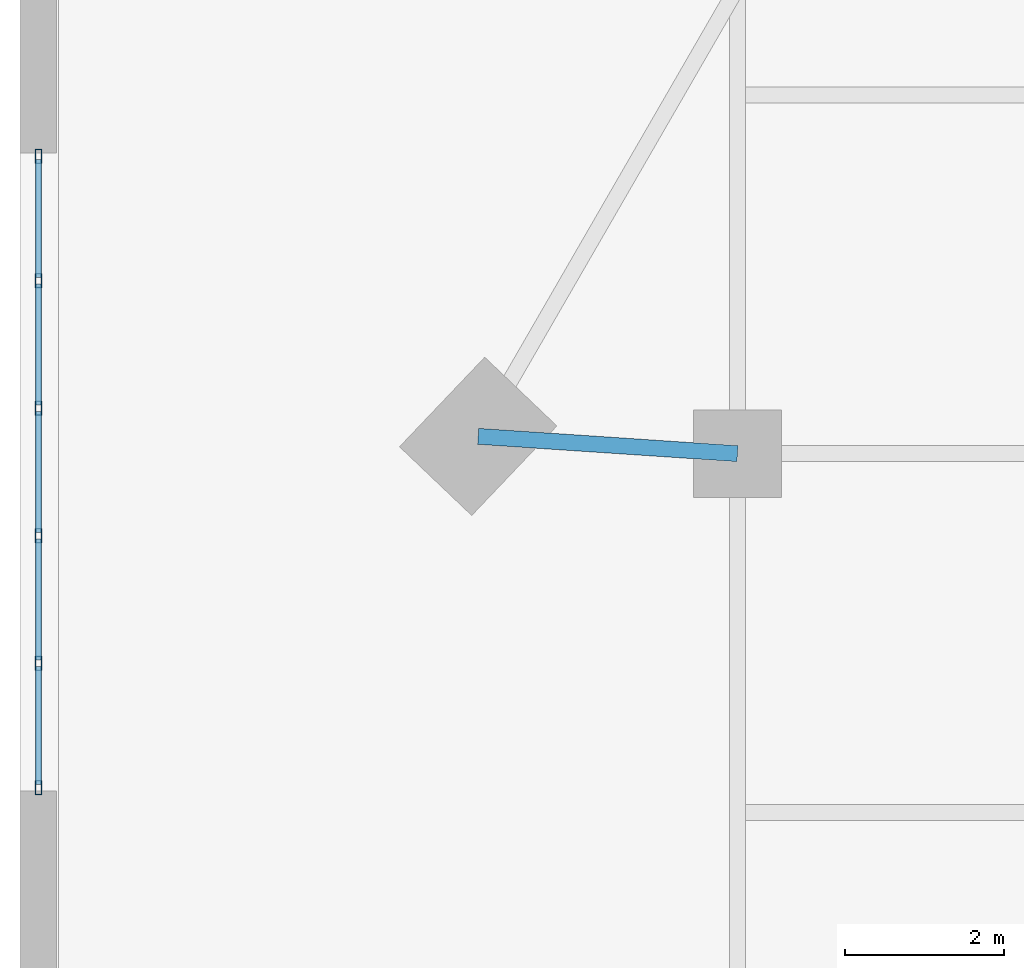
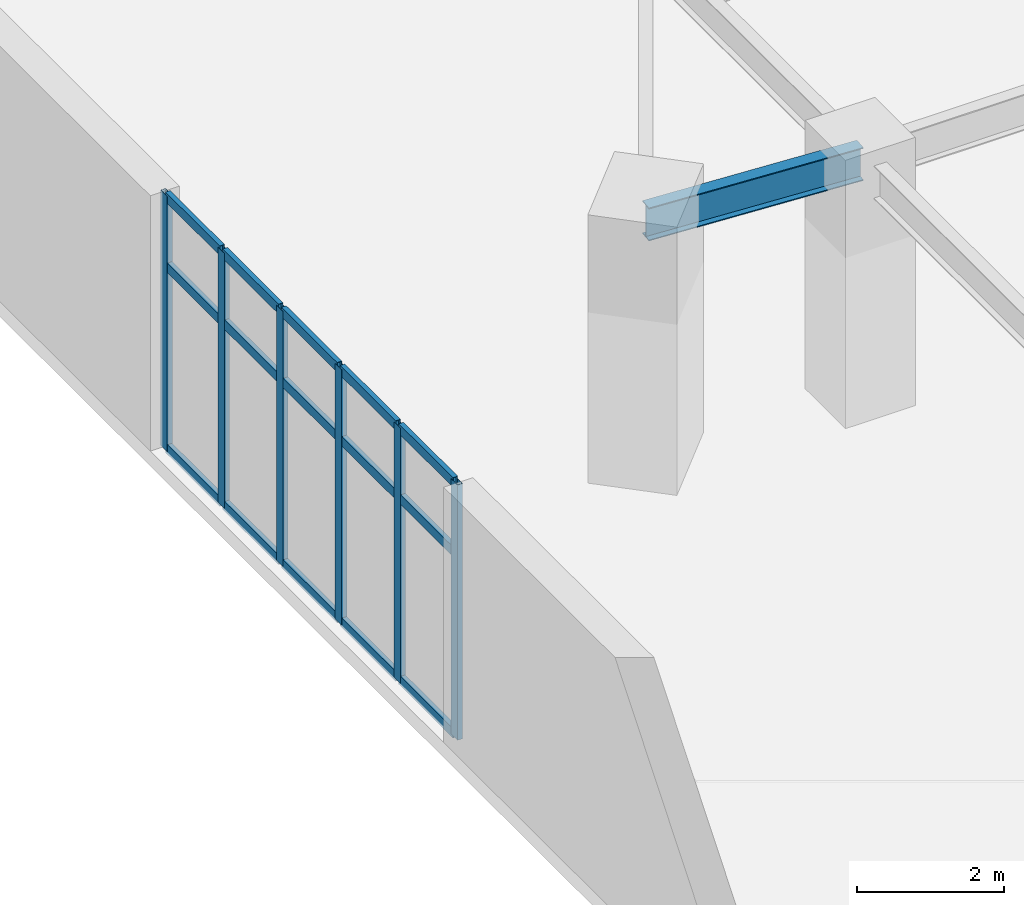
# One storey, part 14 of 29: 21 members, 1 beam, 1 element without a shape of its own.
"""IFC4 building model written with IfcOpenShell, lengths in metres."""

from ifc_helpers import new_model, si_unit, direction, frame, origin, origin_2d, place, context, subcontext, project, spatial, hollow_rectangle, i_section, extrude, source, transform, mapped, material, layer, layer_set, material_profile, profile_set, type_object, element, aggregate, save


model = new_model("IFC4")

# Units and contexts
model_context = context("Model", 3, precision=1e-05, world=origin(), true_north=direction((0.0, 1.0)))
body_context = subcontext(model_context, "Body", "Model", "MODEL_VIEW")
ifc_project = project(units=[si_unit("LENGTHUNIT", "METRE"), si_unit("AREAUNIT", "SQUARE_METRE"), si_unit("VOLUMEUNIT", "CUBIC_METRE"), si_unit("PLANEANGLEUNIT", "RADIAN"), si_unit("MASSUNIT", "GRAM", prefix="KILO")], contexts=[model_context])

# Site, building, storey
site_placement = place(None, origin())
site = spatial("IfcSite", under=ifc_project, at=site_placement, CompositionType="ELEMENT")
building_placement = place(site_placement, origin())
building = spatial("IfcBuilding", under=site, at=building_placement, Name="Liaohun Quay Tower", CompositionType="ELEMENT")
storey_placement = place(building_placement, frame((0.0, 0.0, 5.39990234375)))
storey = spatial("IfcBuildingStorey", under=building, at=storey_placement, Name="L02", CompositionType="ELEMENT", Elevation=5.39990234375)

# Beam
ifc_material_1 = material(Name="Steel Q355D", Category="steel")
ifc_material_profile_1 = material_profile(ifc_material_1, i_section(OverallWidth=0.199951171875, OverallDepth=0.550048828125, WebThickness=0.010009765625, FlangeThickness=0.01611328125, at=origin_2d()), Name="HN550x200x10x16")
ifc_profile_set_1 = profile_set([ifc_material_profile_1], Name="Steel Q355D")
beam_type = type_object("IfcBeamType", Name="BM-POD-G2", PredefinedType="BEAM", material=ifc_profile_set_1)
shared_shape_1 = source(origin(), body_context, "Body", "SweptSolid", [
    extrude(i_section(OverallWidth=0.199951171875, OverallDepth=0.550048828125, WebThickness=0.010009765625, FlangeThickness=0.01611328125, at=origin_2d()), origin(), (0.0, 0.0, 1.0), 3.25927734375),
])
beam_placement = place(storey_placement, frame((20.748046875, 69.217041015625, 3.97509765625), z_axis=(0.997780183272, -0.066593587307, 0.0), x_axis=(0.066593587307, 0.997780183272, 0.0)))
element("IfcBeam", 1, at=beam_placement, inside=storey, type_object=beam_type, Name="L02 Primary Grid Girder PC03-PG10", PredefinedType="BEAM", context=body_context, shape_type="MappedRepresentation", body=[
    mapped(shared_shape_1, transform((0.0, 0.0, 0.0), x_axis=(1.0, 0.0, 0.0), y_axis=(0.0, 1.0, 0.0), z_axis=(0.0, 0.0, 1.0), scale=1.0)),
])

# Curtain wall, members
ifc_material_2 = material(Name="Thermally broken podium arcade storefront curtain wall")
ifc_layer = layer(ifc_material_2, 0.179931640625, Name="Thermally broken podium arcade storefront curtain wall")
ifc_layer_set = layer_set([ifc_layer], Name="Thermally broken podium arcade storefront curtain wall")
curtain_wall_type = type_object("IfcCurtainWallType", Name="CW-POD-RET", PredefinedType="NOTDEFINED", material=ifc_layer_set)
curtain_wall_placement = place(storey_placement, origin())
curtain_wall = element("IfcCurtainWall", 2, at=curtain_wall_placement, inside=storey, type_object=curtain_wall_type, Name="L02 Podium Arcade Storefront CW2-W1", PredefinedType="NOTDEFINED")
ifc_material_3 = material(Name="Anodised aluminium 6063-T6", Category="aluminium")
ifc_material_profile_2 = material_profile(ifc_material_3, hollow_rectangle(XDim=0.074951171875, YDim=0.159912109375, WallThickness=0.0048828125, at=origin_2d()), Name="RHS160x75x5")
ifc_profile_set_2 = profile_set([ifc_material_profile_2], Name="Anodised aluminium 6063-T6")
member_type_1 = type_object("IfcMemberType", Name="MEM-CWT-POD", PredefinedType="USERDEFINED", material=ifc_profile_set_2)
shared_shape_2 = source(origin(), body_context, "Body", "SweptSolid", [
    extrude(hollow_rectangle(XDim=0.074951171875, YDim=0.159912109375, WallThickness=0.0048828125, at=origin_2d()), origin(), (0.0, 0.0, 1.0), 1.47998046875),
])
member_1_placement = place(storey_placement, frame((15.22998046875, 72.68994140625, 0.03759765625), z_axis=(0.0, -1.0, 0.0), x_axis=(1.0, 0.0, 0.0)))
member_1 = element("IfcMember", 3, at=member_1_placement, type_object=member_type_1, Name="CW2 transom 1.1", ObjectType="TRANSOM", PredefinedType="USERDEFINED", context=body_context, shape_type="MappedRepresentation", body=[
    mapped(shared_shape_2, transform((0.0, 0.0, 0.0), x_axis=(1.0, 0.0, 0.0), y_axis=(0.0, 1.0, 0.0), z_axis=(0.0, 0.0, 1.0), scale=1.0)),
])
member_2_placement = place(storey_placement, frame((15.22998046875, 72.68994140625, 3.06005859375), z_axis=(0.0, -1.0, 0.0), x_axis=(1.0, 0.0, 0.0)))
member_2 = element("IfcMember", 4, at=member_2_placement, type_object=member_type_1, Name="CW2 transom 1.2", ObjectType="TRANSOM", PredefinedType="USERDEFINED", context=body_context, shape_type="MappedRepresentation", body=[
    mapped(shared_shape_2, transform((0.0, 0.0, 0.0), x_axis=(1.0, 0.0, 0.0), y_axis=(0.0, 1.0, 0.0), z_axis=(0.0, 0.0, 1.0), scale=1.0)),
])
member_3_placement = place(storey_placement, frame((15.22998046875, 72.68994140625, 4.212646484375), z_axis=(0.0, -1.0, 0.0), x_axis=(1.0, 0.0, 0.0)))
member_3 = element("IfcMember", 5, at=member_3_placement, type_object=member_type_1, Name="CW2 transom 1.3", ObjectType="TRANSOM", PredefinedType="USERDEFINED", context=body_context, shape_type="MappedRepresentation", body=[
    mapped(shared_shape_2, transform((0.0, 0.0, 0.0), x_axis=(1.0, 0.0, 0.0), y_axis=(0.0, 1.0, 0.0), z_axis=(0.0, 0.0, 1.0), scale=1.0)),
])
member_4_placement = place(storey_placement, frame((15.22998046875, 66.330078125, 0.03759765625), z_axis=(0.0, -1.0, 0.0), x_axis=(1.0, 0.0, 0.0)))
member_4 = element("IfcMember", 6, at=member_4_placement, type_object=member_type_1, Name="CW2 transom 5.1", ObjectType="TRANSOM", PredefinedType="USERDEFINED", context=body_context, shape_type="MappedRepresentation", body=[
    mapped(shared_shape_2, transform((0.0, 0.0, 0.0), x_axis=(1.0, 0.0, 0.0), y_axis=(0.0, 1.0, 0.0), z_axis=(0.0, 0.0, 1.0), scale=1.0)),
])
member_5_placement = place(storey_placement, frame((15.22998046875, 66.330078125, 3.06005859375), z_axis=(0.0, -1.0, 0.0), x_axis=(1.0, 0.0, 0.0)))
member_5 = element("IfcMember", 7, at=member_5_placement, type_object=member_type_1, Name="CW2 transom 5.2", ObjectType="TRANSOM", PredefinedType="USERDEFINED", context=body_context, shape_type="MappedRepresentation", body=[
    mapped(shared_shape_2, transform((0.0, 0.0, 0.0), x_axis=(1.0, 0.0, 0.0), y_axis=(0.0, 1.0, 0.0), z_axis=(0.0, 0.0, 1.0), scale=1.0)),
])
member_6_placement = place(storey_placement, frame((15.22998046875, 66.330078125, 4.212646484375), z_axis=(0.0, -1.0, 0.0), x_axis=(1.0, 0.0, 0.0)))
member_6 = element("IfcMember", 8, at=member_6_placement, type_object=member_type_1, Name="CW2 transom 5.3", ObjectType="TRANSOM", PredefinedType="USERDEFINED", context=body_context, shape_type="MappedRepresentation", body=[
    mapped(shared_shape_2, transform((0.0, 0.0, 0.0), x_axis=(1.0, 0.0, 0.0), y_axis=(0.0, 1.0, 0.0), z_axis=(0.0, 0.0, 1.0), scale=1.0)),
])
shared_shape_3 = source(origin(), body_context, "Body", "SweptSolid", [
    extrude(hollow_rectangle(XDim=0.074951171875, YDim=0.159912109375, WallThickness=0.0048828125, at=origin_2d()), origin(), (0.0, 0.0, 1.0), 1.519775390625),
])
member_7_placement = place(storey_placement, frame((15.22998046875, 71.1298828125, 0.03759765625), z_axis=(0.0, -1.0, 0.0), x_axis=(1.0, 0.0, 0.0)))
member_7 = element("IfcMember", 9, at=member_7_placement, type_object=member_type_1, Name="CW2 transom 2.1", ObjectType="TRANSOM", PredefinedType="USERDEFINED", context=body_context, shape_type="MappedRepresentation", body=[
    mapped(shared_shape_3, transform((0.0, 0.0, 0.0), x_axis=(1.0, 0.0, 0.0), y_axis=(0.0, 1.0, 0.0), z_axis=(0.0, 0.0, 1.0), scale=1.0)),
])
member_8_placement = place(storey_placement, frame((15.22998046875, 71.1298828125, 3.06005859375), z_axis=(0.0, -1.0, 0.0), x_axis=(1.0, 0.0, 0.0)))
member_8 = element("IfcMember", 10, at=member_8_placement, type_object=member_type_1, Name="CW2 transom 2.2", ObjectType="TRANSOM", PredefinedType="USERDEFINED", context=body_context, shape_type="MappedRepresentation", body=[
    mapped(shared_shape_3, transform((0.0, 0.0, 0.0), x_axis=(1.0, 0.0, 0.0), y_axis=(0.0, 1.0, 0.0), z_axis=(0.0, 0.0, 1.0), scale=1.0)),
])
member_9_placement = place(storey_placement, frame((15.22998046875, 71.1298828125, 4.212646484375), z_axis=(0.0, -1.0, 0.0), x_axis=(1.0, 0.0, 0.0)))
member_9 = element("IfcMember", 11, at=member_9_placement, type_object=member_type_1, Name="CW2 transom 2.3", ObjectType="TRANSOM", PredefinedType="USERDEFINED", context=body_context, shape_type="MappedRepresentation", body=[
    mapped(shared_shape_3, transform((0.0, 0.0, 0.0), x_axis=(1.0, 0.0, 0.0), y_axis=(0.0, 1.0, 0.0), z_axis=(0.0, 0.0, 1.0), scale=1.0)),
])
shared_shape_4 = source(origin(), body_context, "Body", "SweptSolid", [
    extrude(hollow_rectangle(XDim=0.074951171875, YDim=0.159912109375, WallThickness=0.0048828125, at=origin_2d()), origin(), (0.0, 0.0, 1.0), 1.52001953125),
])
member_10_placement = place(storey_placement, frame((15.22998046875, 69.530029296875, 0.03759765625), z_axis=(0.0, -1.0, 0.0), x_axis=(1.0, 0.0, 0.0)))
member_10 = element("IfcMember", 12, at=member_10_placement, type_object=member_type_1, Name="CW2 transom 3.1", ObjectType="TRANSOM", PredefinedType="USERDEFINED", context=body_context, shape_type="MappedRepresentation", body=[
    mapped(shared_shape_4, transform((0.0, 0.0, 0.0), x_axis=(1.0, 0.0, 0.0), y_axis=(0.0, 1.0, 0.0), z_axis=(0.0, 0.0, 1.0), scale=1.0)),
])
member_11_placement = place(storey_placement, frame((15.22998046875, 69.530029296875, 3.06005859375), z_axis=(0.0, -1.0, 0.0), x_axis=(1.0, 0.0, 0.0)))
member_11 = element("IfcMember", 13, at=member_11_placement, type_object=member_type_1, Name="CW2 transom 3.2", ObjectType="TRANSOM", PredefinedType="USERDEFINED", context=body_context, shape_type="MappedRepresentation", body=[
    mapped(shared_shape_4, transform((0.0, 0.0, 0.0), x_axis=(1.0, 0.0, 0.0), y_axis=(0.0, 1.0, 0.0), z_axis=(0.0, 0.0, 1.0), scale=1.0)),
])
member_12_placement = place(storey_placement, frame((15.22998046875, 69.530029296875, 4.212646484375), z_axis=(0.0, -1.0, 0.0), x_axis=(1.0, 0.0, 0.0)))
member_12 = element("IfcMember", 14, at=member_12_placement, type_object=member_type_1, Name="CW2 transom 3.3", ObjectType="TRANSOM", PredefinedType="USERDEFINED", context=body_context, shape_type="MappedRepresentation", body=[
    mapped(shared_shape_4, transform((0.0, 0.0, 0.0), x_axis=(1.0, 0.0, 0.0), y_axis=(0.0, 1.0, 0.0), z_axis=(0.0, 0.0, 1.0), scale=1.0)),
])
member_13_placement = place(storey_placement, frame((15.22998046875, 67.929931640625, 0.03759765625), z_axis=(0.0, -1.0, 0.0), x_axis=(1.0, 0.0, 0.0)))
member_13 = element("IfcMember", 15, at=member_13_placement, type_object=member_type_1, Name="CW2 transom 4.1", ObjectType="TRANSOM", PredefinedType="USERDEFINED", context=body_context, shape_type="MappedRepresentation", body=[
    mapped(shared_shape_4, transform((0.0, 0.0, 0.0), x_axis=(1.0, 0.0, 0.0), y_axis=(0.0, 1.0, 0.0), z_axis=(0.0, 0.0, 1.0), scale=1.0)),
])
member_14_placement = place(storey_placement, frame((15.22998046875, 67.929931640625, 3.06005859375), z_axis=(0.0, -1.0, 0.0), x_axis=(1.0, 0.0, 0.0)))
member_14 = element("IfcMember", 16, at=member_14_placement, type_object=member_type_1, Name="CW2 transom 4.2", ObjectType="TRANSOM", PredefinedType="USERDEFINED", context=body_context, shape_type="MappedRepresentation", body=[
    mapped(shared_shape_4, transform((0.0, 0.0, 0.0), x_axis=(1.0, 0.0, 0.0), y_axis=(0.0, 1.0, 0.0), z_axis=(0.0, 0.0, 1.0), scale=1.0)),
])
member_15_placement = place(storey_placement, frame((15.22998046875, 67.929931640625, 4.212646484375), z_axis=(0.0, -1.0, 0.0), x_axis=(1.0, 0.0, 0.0)))
member_15 = element("IfcMember", 17, at=member_15_placement, type_object=member_type_1, Name="CW2 transom 4.3", ObjectType="TRANSOM", PredefinedType="USERDEFINED", context=body_context, shape_type="MappedRepresentation", body=[
    mapped(shared_shape_4, transform((0.0, 0.0, 0.0), x_axis=(1.0, 0.0, 0.0), y_axis=(0.0, 1.0, 0.0), z_axis=(0.0, 0.0, 1.0), scale=1.0)),
])
ifc_material_profile_3 = material_profile(ifc_material_3, hollow_rectangle(XDim=0.080078125, YDim=0.179931640625, WallThickness=0.0048828125, at=origin_2d()), Name="RHS180x80x5")
ifc_profile_set_3 = profile_set([ifc_material_profile_3], Name="Anodised aluminium 6063-T6")
member_type_2 = type_object("IfcMemberType", Name="MEM-CWM-POD", PredefinedType="MULLION", material=ifc_profile_set_3)
shared_shape_5 = source(origin(), body_context, "Body", "SweptSolid", [
    extrude(hollow_rectangle(XDim=0.080078125, YDim=0.179931640625, WallThickness=0.0048828125, at=origin_2d()), origin(), (0.0, 0.0, 1.0), 4.25),
])
member_16_placement = place(storey_placement, frame((15.22998046875, 72.72998046875, 0.0), z_axis=(0.0, 0.0, 1.0), x_axis=(1.0, 0.0, 0.0)))
member_16 = element("IfcMember", 18, at=member_16_placement, type_object=member_type_2, Name="CW2 mullion 1", PredefinedType="MULLION", context=body_context, shape_type="MappedRepresentation", body=[
    mapped(shared_shape_5, transform((0.0, 0.0, 0.0), x_axis=(1.0, 0.0, 0.0), y_axis=(0.0, 1.0, 0.0), z_axis=(0.0, 0.0, 1.0), scale=1.0)),
])
member_17_placement = place(storey_placement, frame((15.22998046875, 71.169921875, 0.0), z_axis=(0.0, 0.0, 1.0), x_axis=(1.0, 0.0, 0.0)))
member_17 = element("IfcMember", 19, at=member_17_placement, type_object=member_type_2, Name="CW2 mullion 2", PredefinedType="MULLION", context=body_context, shape_type="MappedRepresentation", body=[
    mapped(shared_shape_5, transform((0.0, 0.0, 0.0), x_axis=(1.0, 0.0, 0.0), y_axis=(0.0, 1.0, 0.0), z_axis=(0.0, 0.0, 1.0), scale=1.0)),
])
member_18_placement = place(storey_placement, frame((15.22998046875, 69.570068359375, 0.0), z_axis=(0.0, 0.0, 1.0), x_axis=(1.0, 0.0, 0.0)))
member_18 = element("IfcMember", 20, at=member_18_placement, type_object=member_type_2, Name="CW2 mullion 3", PredefinedType="MULLION", context=body_context, shape_type="MappedRepresentation", body=[
    mapped(shared_shape_5, transform((0.0, 0.0, 0.0), x_axis=(1.0, 0.0, 0.0), y_axis=(0.0, 1.0, 0.0), z_axis=(0.0, 0.0, 1.0), scale=1.0)),
])
member_19_placement = place(storey_placement, frame((15.22998046875, 67.969970703125, 0.0), z_axis=(0.0, 0.0, 1.0), x_axis=(1.0, 0.0, 0.0)))
member_19 = element("IfcMember", 21, at=member_19_placement, type_object=member_type_2, Name="CW2 mullion 4", PredefinedType="MULLION", context=body_context, shape_type="MappedRepresentation", body=[
    mapped(shared_shape_5, transform((0.0, 0.0, 0.0), x_axis=(1.0, 0.0, 0.0), y_axis=(0.0, 1.0, 0.0), z_axis=(0.0, 0.0, 1.0), scale=1.0)),
])
member_20_placement = place(storey_placement, frame((15.22998046875, 66.3701171875, 0.0), z_axis=(0.0, 0.0, 1.0), x_axis=(1.0, 0.0, 0.0)))
member_20 = element("IfcMember", 22, at=member_20_placement, type_object=member_type_2, Name="CW2 mullion 5", PredefinedType="MULLION", context=body_context, shape_type="MappedRepresentation", body=[
    mapped(shared_shape_5, transform((0.0, 0.0, 0.0), x_axis=(1.0, 0.0, 0.0), y_axis=(0.0, 1.0, 0.0), z_axis=(0.0, 0.0, 1.0), scale=1.0)),
])
member_21_placement = place(storey_placement, frame((15.22998046875, 64.81005859375, 0.0), z_axis=(0.0, 0.0, 1.0), x_axis=(1.0, 0.0, 0.0)))
member_21 = element("IfcMember", 23, at=member_21_placement, type_object=member_type_2, Name="CW2 mullion 6", PredefinedType="MULLION", context=body_context, shape_type="MappedRepresentation", body=[
    mapped(shared_shape_5, transform((0.0, 0.0, 0.0), x_axis=(1.0, 0.0, 0.0), y_axis=(0.0, 1.0, 0.0), z_axis=(0.0, 0.0, 1.0), scale=1.0)),
])
aggregate(curtain_wall, [member_16, member_17, member_18, member_19, member_20, member_21, member_1, member_2, member_3, member_7, member_8, member_9, member_10, member_11, member_12, member_13, member_14, member_15, member_4, member_5, member_6])

save(model, "model.ifc")
